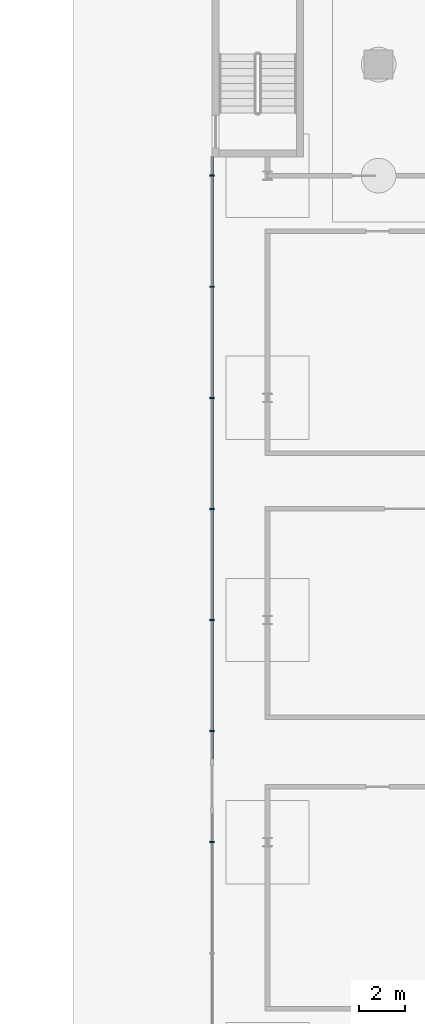
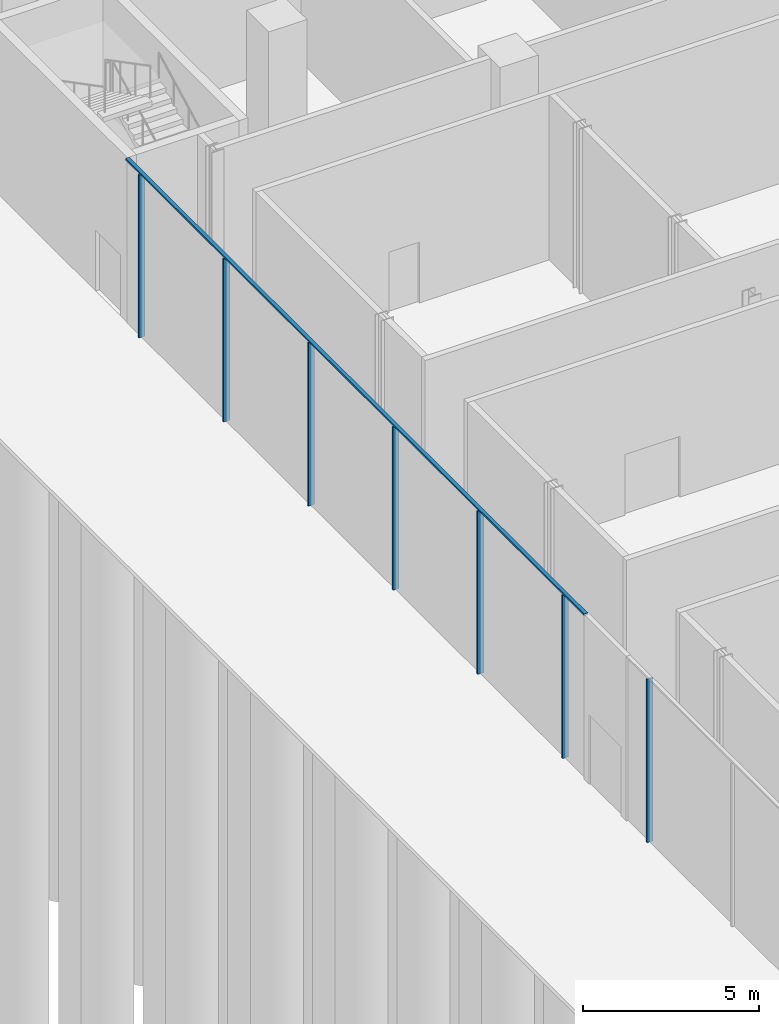
# One storey, part 10 of 44: 8 members, 1 element without a shape of its own.
"""IFC4 building model written with IfcOpenShell, lengths in metres."""

from ifc_helpers import new_model, si_unit, direction, frame, origin, origin_2d, place, context, subcontext, project, spatial, rectangle, extrude, material, layer, layer_set, material_profile, profile_set, type_object, element, aggregate, save


model = new_model("IFC4")

# Units and contexts
model_context = context("Model", 3, precision=1e-05, world=origin(), true_north=direction((0.0, 1.0)))
body_context = subcontext(model_context, "Body", "Model", "MODEL_VIEW")
ifc_project = project(units=[si_unit("LENGTHUNIT", "METRE"), si_unit("AREAUNIT", "SQUARE_METRE"), si_unit("VOLUMEUNIT", "CUBIC_METRE"), si_unit("PLANEANGLEUNIT", "RADIAN"), si_unit("MASSUNIT", "GRAM", prefix="KILO")], contexts=[model_context])

# Site, building, storey
site_placement = place(None, origin())
site = spatial("IfcSite", under=ifc_project, at=site_placement, CompositionType="ELEMENT")
building_placement = place(site_placement, origin())
building = spatial("IfcBuilding", under=site, at=building_placement, Name="Madar Terraces", CompositionType="ELEMENT")
storey_placement = place(building_placement, origin())
storey = spatial("IfcBuildingStorey", under=building, at=storey_placement, Name="L00", CompositionType="ELEMENT", Elevation=0.0)

# Curtain wall, members
ifc_material_1 = material(Name="Glass, clear low-iron, with black aluminium frame", Category="aluminium")
ifc_layer = layer(ifc_material_1, 0.199951171875)
ifc_layer_set = layer_set([ifc_layer], Name="Facade curtain wall, shopfront glazing")
curtain_wall_type = type_object("IfcCurtainWallType", Name="Facade curtain wall, shopfront glazing", PredefinedType="NOTDEFINED", material=ifc_layer_set)
curtain_wall_placement = place(storey_placement, origin())
curtain_wall = element("IfcCurtainWall", 1, at=curtain_wall_placement, inside=storey, type_object=curtain_wall_type, Name="Outer skin curtain wall west bay 1", PredefinedType="NOTDEFINED")
ifc_material_2 = material(Name="Aluminium, black anodised", Category="aluminium")
ifc_material_profile_1 = material_profile(ifc_material_2, rectangle(XDim=0.199951171875, YDim=0.06005859375, at=origin_2d()), Name="Facade mullion 60x200")
ifc_profile_set_1 = profile_set([ifc_material_profile_1], Name="Aluminium, black anodised")
member_type_1 = type_object("IfcMemberType", Name="Facade mullion 60x200", PredefinedType="MULLION", material=ifc_profile_set_1)
member_1_placement = place(storey_placement, frame((-7.199951171875, 0.0, 0.0), z_axis=(0.0, 0.0, 1.0), x_axis=(1.0, 0.0, 0.0)))
member_1 = element("IfcMember", 2, at=member_1_placement, type_object=member_type_1, Name="Mullion 10", PredefinedType="MULLION", context=body_context, shape_type="SweptSolid", body=[
    extrude(rectangle(XDim=0.199951171875, YDim=0.06005859375, at=origin_2d()), origin(), (0.0, 0.0, 1.0), 5.639892578125),
])
member_2_placement = place(storey_placement, frame((-7.199951171875, -4.800048828125, 0.0), z_axis=(0.0, 0.0, 1.0), x_axis=(1.0, 0.0, 0.0)))
member_2 = element("IfcMember", 3, at=member_2_placement, type_object=member_type_1, Name="Mullion 11", PredefinedType="MULLION", context=body_context, shape_type="SweptSolid", body=[
    extrude(rectangle(XDim=0.199951171875, YDim=0.06005859375, at=origin_2d()), origin(), (0.0, 0.0, 1.0), 5.639892578125),
])
member_3_placement = place(storey_placement, frame((-7.199951171875, -9.60009765625, 0.0), z_axis=(0.0, 0.0, 1.0), x_axis=(1.0, 0.0, 0.0)))
member_3 = element("IfcMember", 4, at=member_3_placement, type_object=member_type_1, Name="Mullion 12", PredefinedType="MULLION", context=body_context, shape_type="SweptSolid", body=[
    extrude(rectangle(XDim=0.199951171875, YDim=0.06005859375, at=origin_2d()), origin(), (0.0, 0.0, 1.0), 5.639892578125),
])
member_4_placement = place(storey_placement, frame((-7.199951171875, -14.39990234375, 0.0), z_axis=(0.0, 0.0, 1.0), x_axis=(1.0, 0.0, 0.0)))
member_4 = element("IfcMember", 5, at=member_4_placement, type_object=member_type_1, Name="Mullion 13", PredefinedType="MULLION", context=body_context, shape_type="SweptSolid", body=[
    extrude(rectangle(XDim=0.199951171875, YDim=0.06005859375, at=origin_2d()), origin(), (0.0, 0.0, 1.0), 5.639892578125),
])
member_5_placement = place(storey_placement, frame((-7.199951171875, -19.199951171875, 0.0), z_axis=(0.0, 0.0, 1.0), x_axis=(1.0, 0.0, 0.0)))
member_5 = element("IfcMember", 6, at=member_5_placement, type_object=member_type_1, Name="Mullion 14", PredefinedType="MULLION", context=body_context, shape_type="SweptSolid", body=[
    extrude(rectangle(XDim=0.199951171875, YDim=0.06005859375, at=origin_2d()), origin(), (0.0, 0.0, 1.0), 5.639892578125),
])
member_6_placement = place(storey_placement, frame((-7.199951171875, -24.0, 0.0), z_axis=(0.0, 0.0, 1.0), x_axis=(1.0, 0.0, 0.0)))
member_6 = element("IfcMember", 7, at=member_6_placement, type_object=member_type_1, Name="Mullion 15", PredefinedType="MULLION", context=body_context, shape_type="SweptSolid", body=[
    extrude(rectangle(XDim=0.199951171875, YDim=0.06005859375, at=origin_2d()), origin(), (0.0, 0.0, 1.0), 5.639892578125),
])
member_7_placement = place(storey_placement, frame((-7.199951171875, -28.800048828125, 0.0), z_axis=(0.0, 0.0, 1.0), x_axis=(1.0, 0.0, 0.0)))
member_7 = element("IfcMember", 8, at=member_7_placement, type_object=member_type_1, Name="Mullion 16", PredefinedType="MULLION", context=body_context, shape_type="SweptSolid", body=[
    extrude(rectangle(XDim=0.199951171875, YDim=0.06005859375, at=origin_2d()), origin(), (0.0, 0.0, 1.0), 5.639892578125),
])
ifc_material_3 = material(Name="Aluminium, black anodised", Category="aluminium")
ifc_material_profile_2 = material_profile(ifc_material_3, rectangle(XDim=0.1201171875, YDim=0.06005859375, at=origin_2d()), Name="Facade transom 60x120")
ifc_profile_set_2 = profile_set([ifc_material_profile_2], Name="Aluminium, black anodised")
member_type_2 = type_object("IfcMemberType", Name="Facade transom 60x120", PredefinedType="USERDEFINED", material=ifc_profile_set_2)
member_8_placement = place(storey_placement, frame((-7.199951171875, 0.800048828125, 5.669921875), z_axis=(0.0, -1.0, 0.0), x_axis=(1.0, 0.0, 0.0)))
member_8 = element("IfcMember", 9, at=member_8_placement, type_object=member_type_2, Name="Transom 4", ObjectType="TRANSOM", PredefinedType="USERDEFINED", context=body_context, shape_type="SweptSolid", body=[
    extrude(rectangle(XDim=0.1201171875, YDim=0.06005859375, at=origin_2d()), origin(), (0.0, 0.0, 1.0), 26.0),
])
aggregate(curtain_wall, [member_1, member_2, member_3, member_4, member_5, member_6, member_8, member_7])

save(model, "model.ifc")
